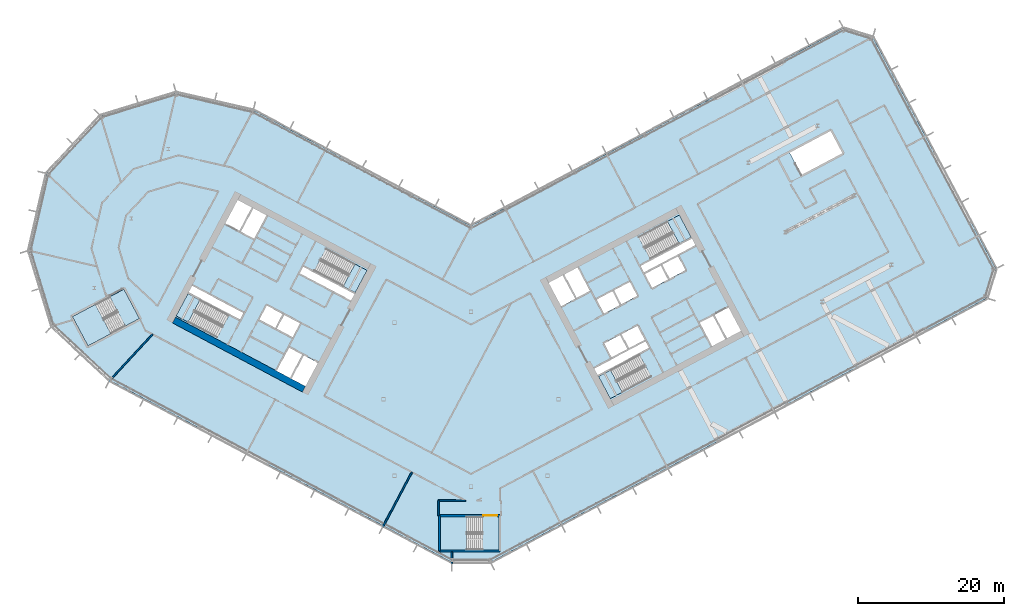
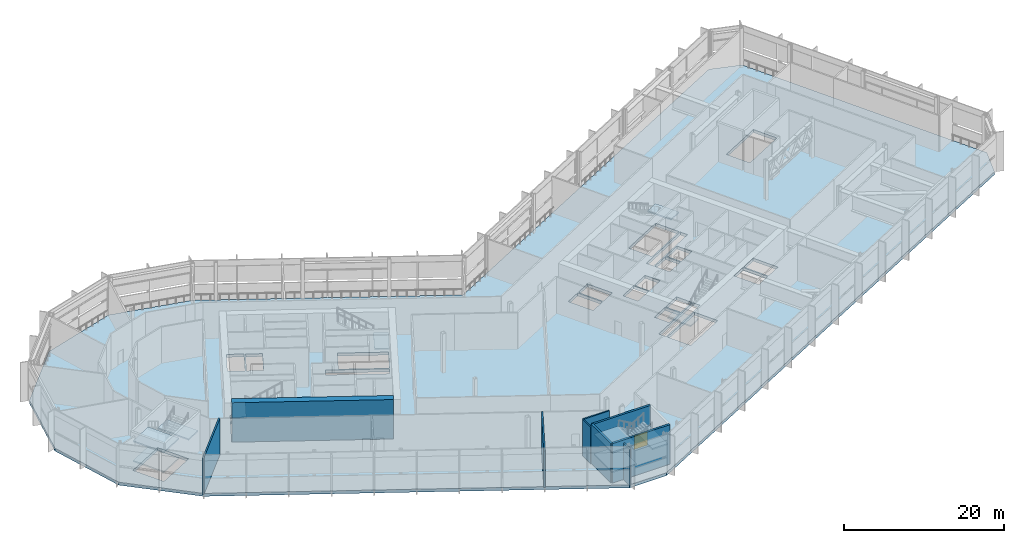
# One storey, part 11 of 33: 11 slabs, 9 walls, 1 door, 1 opening, 6 elements without a shape of their own.
"""IFC4 building model written with IfcOpenShell, lengths in metres."""

from ifc_helpers import new_model, si_unit, direction, frame, frame_2d, origin, place, context, subcontext, project, spatial, polyline, rectangle, outline, extrude, material, layer, layer_set, type_object, element, fill, aggregate, save


model = new_model("IFC4")

# Units and contexts
model_context = context("Model", 3, precision=1e-05, world=origin(), true_north=direction((0.0, 1.0)))
body_context = subcontext(model_context, "Body", "Model", "MODEL_VIEW")
ifc_project = project(units=[si_unit("LENGTHUNIT", "METRE"), si_unit("AREAUNIT", "SQUARE_METRE"), si_unit("VOLUMEUNIT", "CUBIC_METRE"), si_unit("PLANEANGLEUNIT", "RADIAN"), si_unit("MASSUNIT", "GRAM", prefix="KILO")], contexts=[model_context])

# Site, building, storey
site_placement = place(None, origin())
site = spatial("IfcSite", under=ifc_project, at=site_placement, CompositionType="ELEMENT")
building_placement = place(site_placement, origin())
building = spatial("IfcBuilding", under=site, at=building_placement, Name="Cormorant Relay Tower", CompositionType="ELEMENT")
storey_placement = place(building_placement, frame((0.0, 0.0, 112.199951171875)))
storey = spatial("IfcBuildingStorey", under=building, at=storey_placement, Name="L22", CompositionType="ELEMENT", Elevation=112.199951171875)

# Stair, slab
ifc_material_1 = material(Name="Concrete 40 MPa", Category="concrete")
stair_type_1 = type_object("IfcStairType", Name="Exit stair 1500", PredefinedType="HALF_TURN_STAIR", material=ifc_material_1)
stair_1_placement = place(storey_placement, origin())
stair_1 = element("IfcStair", 1, at=stair_1_placement, inside=storey, type_object=stair_type_1, Name="L22 Stair", PredefinedType="HALF_TURN_STAIR")
ifc_material_2 = material(Name="Concrete 40 MPa", Category="concrete")
ifc_layer_1 = layer(ifc_material_2, 0.199951171875)
ifc_layer_set_1 = layer_set([ifc_layer_1], Name="Exit stair landing 200")
slab_type_1 = type_object("IfcSlabType", Name="Exit stair landing 200", PredefinedType="LANDING", material=ifc_layer_set_1)
slab_1_placement = place(storey_placement, frame((0.0, 0.0, 2.800048828125)))
slab_1 = element("IfcSlab", 2, at=slab_1_placement, type_object=slab_type_1, Name="A1 landing 1", PredefinedType="LANDING", context=body_context, shape_type="SweptSolid", body=[
    extrude(outline(polyline([(-17.546142578125, 15.501953125), (-15.89501953125, 14.6240234375), (-14.275390625, 17.670166015625), (-15.926513671875, 18.548095703125), (-17.546142578125, 15.501953125)])), origin(), (0.0, 0.0, 1.0), 0.199951171875),
])
aggregate(stair_1, [slab_1])

stair_2_placement = place(storey_placement, origin())
stair_2 = element("IfcStair", 3, at=stair_2_placement, inside=storey, type_object=stair_type_1, Name="L22 Stair", PredefinedType="HALF_TURN_STAIR")
slab_2_placement = place(storey_placement, frame((0.0, 0.0, 2.800048828125)))
slab_2 = element("IfcSlab", 4, at=slab_2_placement, type_object=slab_type_1, Name="A2 landing 1", PredefinedType="LANDING", context=body_context, shape_type="SweptSolid", body=[
    extrude(outline(polyline([(-37.196533203125, 13.605224609375), (-38.84765625, 14.483154296875), (-40.467529296875, 11.43701171875), (-38.81640625, 10.55908203125), (-37.196533203125, 13.605224609375)])), origin(), (0.0, 0.0, 1.0), 0.199951171875),
])
aggregate(stair_2, [slab_2])

stair_3_placement = place(storey_placement, origin())
stair_3 = element("IfcStair", 5, at=stair_3_placement, inside=storey, type_object=stair_type_1, Name="L22 Stair", PredefinedType="HALF_TURN_STAIR")
slab_3_placement = place(storey_placement, frame((0.0, 0.0, 2.800048828125)))
slab_3 = element("IfcSlab", 6, at=slab_3_placement, type_object=slab_type_1, Name="B1 landing 1", PredefinedType="LANDING", context=body_context, shape_type="SweptSolid", body=[
    extrude(outline(polyline([(19.131591796875, 4.0), (17.48046875, 3.1220703125), (19.10009765625, 0.075927734375), (20.751220703125, 0.953857421875), (19.131591796875, 4.0)])), origin(), (0.0, 0.0, 1.0), 0.199951171875),
])
aggregate(stair_3, [slab_3])

stair_4_placement = place(storey_placement, origin())
stair_4 = element("IfcStair", 7, at=stair_4_placement, inside=storey, type_object=stair_type_1, Name="L22 Stair", PredefinedType="HALF_TURN_STAIR")
slab_4_placement = place(storey_placement, frame((0.0, 0.0, 2.800048828125)))
slab_4 = element("IfcSlab", 8, at=slab_4_placement, type_object=slab_type_1, Name="B2 landing 1", PredefinedType="LANDING", context=body_context, shape_type="SweptSolid", body=[
    extrude(outline(polyline([(28.547607421875, 21.3515625), (30.19873046875, 22.2294921875), (28.5791015625, 25.275634765625), (26.927978515625, 24.397705078125), (28.547607421875, 21.3515625)])), origin(), (0.0, 0.0, 1.0), 0.199951171875),
])
aggregate(stair_4, [slab_4])

# Stair, slabs
ifc_material_3 = material(Name="Concrete 40 MPa", Category="concrete")
stair_type_2 = type_object("IfcStairType", Name="Remote exit stair 2200", PredefinedType="HALF_TURN_STAIR", material=ifc_material_3)
stair_5_placement = place(storey_placement, origin())
stair_5 = element("IfcStair", 9, at=stair_5_placement, inside=storey, type_object=stair_type_2, Name="L22 Stair", PredefinedType="HALF_TURN_STAIR")
slab_5_placement = place(storey_placement, frame((0.0, 0.0, 1.300048828125)))
slab_5 = element("IfcSlab", 10, at=slab_5_placement, type_object=slab_type_1, Name="RK1 landing 1", PredefinedType="LANDING", context=body_context, shape_type="SweptSolid", body=[
    extrude(outline(polyline([(-0.639892578125, -16.125), (-4.199951171875, -16.125), (-4.199951171875, -20.675048828125), (-0.639892578125, -20.675048828125), (-0.639892578125, -16.125)])), origin(), (0.0, 0.0, 1.0), 0.199951171875),
])
slab_6_placement = place(storey_placement, frame((0.0, 0.0, 2.800048828125)))
slab_6 = element("IfcSlab", 11, at=slab_6_placement, type_object=slab_type_1, Name="RK1 landing 2", PredefinedType="LANDING", context=body_context, shape_type="SweptSolid", body=[
    extrude(outline(polyline([(3.800048828125, -16.125), (1.60009765625, -16.125), (1.60009765625, -20.675048828125), (3.800048828125, -20.675048828125), (3.800048828125, -16.125)])), origin(), (0.0, 0.0, 1.0), 0.199951171875),
])
slab_7_placement = place(storey_placement, frame((0.0, 0.0, 4.300048828125)))
slab_7 = element("IfcSlab", 12, at=slab_7_placement, type_object=slab_type_1, Name="RK1 landing 3", PredefinedType="LANDING", context=body_context, shape_type="SweptSolid", body=[
    extrude(outline(polyline([(-0.639892578125, -16.125), (-4.199951171875, -16.125), (-4.199951171875, -20.675048828125), (-0.639892578125, -20.675048828125), (-0.639892578125, -16.125)])), origin(), (0.0, 0.0, 1.0), 0.199951171875),
])
aggregate(stair_5, [slab_5, slab_6, slab_7])

stair_6_placement = place(storey_placement, origin())
stair_6 = element("IfcStair", 13, at=stair_6_placement, inside=storey, type_object=stair_type_2, Name="L22 Stair", PredefinedType="HALF_TURN_STAIR")
slab_8_placement = place(storey_placement, frame((0.0, 0.0, 1.300048828125)))
slab_8 = element("IfcSlab", 14, at=slab_8_placement, type_object=slab_type_1, Name="RP1 landing 1", PredefinedType="LANDING", context=body_context, shape_type="SweptSolid", body=[
    extrude(outline(polyline([(-51.556640625, 13.002197265625), (-54.699951171875, 11.330810546875), (-52.563720703125, 7.3134765625), (-49.42041015625, 8.984619140625), (-51.556640625, 13.002197265625)])), origin(), (0.0, 0.0, 1.0), 0.199951171875),
])
slab_9_placement = place(storey_placement, frame((0.0, 0.0, 2.800048828125)))
slab_9 = element("IfcSlab", 15, at=slab_9_placement, type_object=slab_type_1, Name="RP1 landing 2", PredefinedType="LANDING", context=body_context, shape_type="SweptSolid", body=[
    extrude(outline(polyline([(-47.63623046875, 15.086669921875), (-49.578857421875, 14.0537109375), (-47.442626953125, 10.036376953125), (-45.500244140625, 11.069091796875), (-47.63623046875, 15.086669921875)])), origin(), (0.0, 0.0, 1.0), 0.199951171875),
])
slab_10_placement = place(storey_placement, frame((0.0, 0.0, 4.300048828125)))
slab_10 = element("IfcSlab", 16, at=slab_10_placement, type_object=slab_type_1, Name="RP1 landing 3", PredefinedType="LANDING", context=body_context, shape_type="SweptSolid", body=[
    extrude(outline(polyline([(-51.556640625, 13.002197265625), (-54.699951171875, 11.330810546875), (-52.563720703125, 7.3134765625), (-49.42041015625, 8.984619140625), (-51.556640625, 13.002197265625)])), origin(), (0.0, 0.0, 1.0), 0.199951171875),
])
aggregate(stair_6, [slab_8, slab_9, slab_10])

# Slab
ifc_material_4 = material(Name="Concrete 40 MPa", Category="concrete")
ifc_layer_2 = layer(ifc_material_4, 0.449951171875)
ifc_layer_set_2 = layer_set([ifc_layer_2], Name="Flat plate 450")
slab_type_2 = type_object("IfcSlabType", Name="Flat plate 450", PredefinedType="FLOOR", material=ifc_layer_set_2)
slab_11_placement = place(storey_placement, frame((0.0, 0.0, -0.449951171875)))
element("IfcSlab", 17, at=slab_11_placement, inside=storey, type_object=slab_type_2, Name="Floor slab L22", PredefinedType="FLOOR", context=body_context, shape_type="SweptSolid", body=[
    extrude(outline(polyline([(-57.541748046875, 9.997802734375), (-60.7197265625, 20.393310546875), (-58.2744140625, 30.985107421875), (-50.86083984375, 38.935302734375), (-40.465576171875, 42.11328125), (-29.873779296875, 39.668212890625), (0.0, 23.783935546875), (51.064453125, 50.935302734375), (55.12158203125, 49.695068359375), (72.022705078125, 17.908935546875), (70.7822265625, 13.8515625), (2.648681640625, -22.37548828125), (-2.648681640625, -22.37548828125), (-49.591552734375, 2.584228515625), (-57.541748046875, 9.997802734375)]), holes=[polyline([(-4.199951171875, -16.125), (-4.199951171875, -20.675048828125), (1.60009765625, -20.675048828125), (1.60009765625, -16.125), (-4.199951171875, -16.125)]), polyline([(-22.95458984375, 6.03271484375), (-24.668212890625, 2.81005859375), (-22.725830078125, 1.777099609375), (-21.01220703125, 5.0), (-23.04296875, 6.07958984375), (-22.95458984375, 6.03271484375)]), polyline([(-24.985595703125, 7.112548828125), (-26.69921875, 3.889892578125), (-24.844970703125, 2.90380859375), (-23.13134765625, 6.126708984375), (-23.04296875, 6.07958984375), (-24.985595703125, 7.112548828125)]), polyline([(-26.688720703125, 9.660400390625), (-24.481201171875, 8.48681640625), (-23.448486328125, 10.42919921875), (-25.656005859375, 11.602783203125), (-26.688720703125, 9.660400390625)]), polyline([(-49.57861328125, 14.0537109375), (-54.69970703125, 11.330810546875), (-52.563720703125, 7.3134765625), (-47.442626953125, 10.036376953125), (-49.57861328125, 14.0537109375)]), polyline([(-28.039794921875, 12.870361328125), (-29.07275390625, 10.927978515625), (-26.865234375, 9.75439453125), (-25.83251953125, 11.69677734375), (-28.039794921875, 12.870361328125)]), polyline([(-38.847900390625, 14.483154296875), (-40.46728515625, 11.43701171875), (-34.860595703125, 8.455810546875), (-33.240966796875, 11.502197265625), (-38.847900390625, 14.483154296875)]), polyline([(-38.260986328125, 15.5869140625), (-38.75390625, 14.659912109375), (-31.690185546875, 10.904052734375), (-31.197265625, 11.8310546875), (-38.260986328125, 15.5869140625)]), polyline([(14.3056640625, 13.779052734375), (12.592041015625, 17.001708984375), (10.649658203125, 15.968994140625), (12.36328125, 12.74609375), (14.39404296875, 13.825927734375), (14.3056640625, 13.779052734375)]), polyline([(16.33642578125, 14.85888671875), (14.622802734375, 18.08154296875), (12.768798828125, 17.095703125), (14.482421875, 13.872802734375), (14.39404296875, 13.825927734375), (16.33642578125, 14.85888671875)]), polyline([(-16.481689453125, 13.520263671875), (-15.989013671875, 14.447509765625), (-23.052490234375, 18.203125), (-23.54541015625, 17.276123046875), (-16.481689453125, 13.520263671875)]), polyline([(-21.501708984375, 17.605224609375), (-15.89501953125, 14.6240234375), (-14.275390625, 17.670166015625), (-19.882080078125, 20.6513671875), (-21.501708984375, 17.605224609375)]), polyline([(-31.611572265625, 22.980712890625), (-29.75732421875, 21.99462890625), (-28.043701171875, 25.217529296875), (-29.89794921875, 26.203369140625), (-31.611572265625, 22.980712890625)]), polyline([(-33.73046875, 24.107421875), (-31.7880859375, 23.074462890625), (-30.074462890625, 26.29736328125), (-32.01708984375, 27.330078125), (-33.73046875, 24.107421875)]), polyline([(23.087158203125, 6.10302734375), (17.48046875, 3.1220703125), (19.10009765625, 0.07568359375), (24.706787109375, 3.056884765625), (23.087158203125, 6.10302734375)]), polyline([(16.8935546875, 4.2255859375), (17.386474609375, 3.298583984375), (24.4501953125, 7.054443359375), (23.957275390625, 7.9814453125), (16.8935546875, 4.2255859375)]), polyline([(20.446533203125, 8.8330078125), (18.239013671875, 7.6591796875), (19.27197265625, 5.716796875), (21.479248046875, 6.890380859375), (20.446533203125, 8.8330078125)]), polyline([(22.830322265625, 10.1005859375), (20.623046875, 8.927001953125), (21.656005859375, 6.984375), (23.86328125, 8.158203125), (22.830322265625, 10.1005859375)]), polyline([(33.197021484375, 11.478515625), (31.3427734375, 10.49267578125), (33.056396484375, 7.27001953125), (34.910400390625, 8.255859375), (33.197021484375, 11.478515625)]), polyline([(33.37353515625, 11.572509765625), (35.087158203125, 8.349609375), (37.029541015625, 9.382568359375), (35.31591796875, 12.605224609375), (33.37353515625, 11.572509765625)]), polyline([(19.401123046875, 14.84619140625), (17.19384765625, 13.67236328125), (18.2265625, 11.72998046875), (20.43408203125, 12.903564453125), (19.401123046875, 14.84619140625)]), polyline([(22.81787109375, 14.171142578125), (21.78515625, 16.113525390625), (19.57763671875, 14.93994140625), (20.610595703125, 12.99755859375), (22.81787109375, 14.171142578125)]), polyline([(26.023193359375, 18.3671875), (23.81591796875, 17.193359375), (24.8486328125, 15.2509765625), (27.05615234375, 16.424560546875), (26.023193359375, 18.3671875)]), polyline([(29.440185546875, 17.692138671875), (28.4072265625, 19.634765625), (26.19970703125, 18.4609375), (27.232666015625, 16.5185546875), (29.440185546875, 17.692138671875)]), polyline([(30.78564453125, 21.125732421875), (30.29248046875, 22.052978515625), (23.22900390625, 18.297119140625), (23.721923828125, 17.3701171875), (30.78564453125, 21.125732421875)]), polyline([(24.592041015625, 19.248291015625), (30.19873046875, 22.2294921875), (28.5791015625, 25.275634765625), (22.972412109375, 22.29443359375), (24.592041015625, 19.248291015625)]), polyline([(45.3349609375, 30.773681640625), (50.941650390625, 33.7548828125), (49.322021484375, 36.801025390625), (43.715087890625, 33.81982421875), (45.3349609375, 30.773681640625)])]), origin(), (0.0, 0.0, 1.0), 0.449951171875),
])

# Walls
ifc_material_5 = material(Name="Concrete 70 MPa", Category="concrete")
ifc_layer_3 = layer(ifc_material_5, 0.89990234375)
ifc_layer_set_3 = layer_set([ifc_layer_3], Name="Core wall 900")
wall_type_1 = type_object("IfcWallType", Name="Core wall 900", PredefinedType="SHEAR", material=ifc_layer_set_3)
wall_1_placement = place(storey_placement, frame((-22.93701171875, 1.3798828125, 0.0), z_axis=(0.0, 0.0, 1.0), x_axis=(-0.88295276571, 0.46946183394, 0.0)))
element("IfcWall", 18, at=wall_1_placement, inside=storey, type_object=wall_type_1, Name="L22 core A wall", PredefinedType="SHEAR", context=body_context, shape_type="SweptSolid", body=[
    extrude(rectangle(XDim=20.199951171875, YDim=0.89990234375, at=frame_2d((10.10009765625, 0.0))), origin(), (0.0, 0.0, 1.0), 6.0),
])
ifc_material_6 = material(Name="Fire-rated gypsum board partition")
ifc_layer_4 = layer(ifc_material_6, 0.199951171875)
ifc_layer_set_4 = layer_set([ifc_layer_4], Name="Fire-rated gypsum partition 200")
wall_type_2 = type_object("IfcWallType", Name="Fire-rated gypsum partition 200", PredefinedType="PARTITIONING", material=ifc_layer_set_4)
wall_2_placement = place(storey_placement, frame((-49.73291015625, 2.43310546875, 0.0), z_axis=(0.0, 0.0, 1.0), x_axis=(0.681990946379, 0.73136061492, 0.0)))
element("IfcWall", 19, at=wall_2_placement, inside=storey, type_object=wall_type_2, Name="wall/L22/part/12", PredefinedType="PARTITIONING", context=body_context, shape_type="SweptSolid", body=[
    extrude(rectangle(XDim=8.851806640625, YDim=0.199951171875, at=frame_2d((4.42578125, 0.0))), origin(), (0.0, 0.0, 1.0), 5.550048828125),
])
wall_3_placement = place(storey_placement, frame((-8.116943359375, -10.010986328125, 0.0), z_axis=(0.0, 0.0, 1.0), x_axis=(-0.469583140133, -0.882888257087, 0.0)))
element("IfcWall", 20, at=wall_3_placement, inside=storey, type_object=wall_type_2, Name="wall/L22/part/37", PredefinedType="PARTITIONING", context=body_context, shape_type="SweptSolid", body=[
    extrude(rectangle(XDim=8.550537109375, YDim=0.199951171875, at=frame_2d((4.275390625, 0.0))), origin(), (0.0, 0.0, 1.0), 5.550048828125),
])
wall_4_placement = place(storey_placement, frame((-0.743896484375, -13.927978515625, 0.0), z_axis=(0.0, 0.0, 1.0), x_axis=(-0.999999695815, 0.000779980263, 0.0)))
element("IfcWall", 21, at=wall_4_placement, inside=storey, type_object=wall_type_2, Name="wall/L22/part/43", PredefinedType="PARTITIONING", context=body_context, shape_type="SweptSolid", body=[
    extrude(rectangle(XDim=3.756103515625, YDim=0.199951171875, at=frame_2d((1.8779296875, 0.0))), origin(), (0.0, 0.0, 1.0), 5.550048828125),
])
wall_5_placement = place(storey_placement, frame((-4.5, -13.925048828125, 0.0), z_axis=(0.0, 0.0, 1.0), x_axis=(0.0, -1.0, 0.0)))
element("IfcWall", 22, at=wall_5_placement, inside=storey, type_object=wall_type_2, Name="wall/L22/part/49", PredefinedType="PARTITIONING", context=body_context, shape_type="SweptSolid", body=[
    extrude(rectangle(XDim=2.050048828125, YDim=0.199951171875, at=frame_2d((1.02490234375, 0.0))), origin(), (0.0, 0.0, 1.0), 5.550048828125),
])
wall_6_placement = place(storey_placement, frame((-2.64892578125, -20.9599609375, 0.0), z_axis=(0.0, 0.0, 1.0), x_axis=(0.0, -1.0, 0.0)))
element("IfcWall", 23, at=wall_6_placement, inside=storey, type_object=wall_type_2, Name="wall/L22/part/50", PredefinedType="PARTITIONING", context=body_context, shape_type="SweptSolid", body=[
    extrude(rectangle(XDim=1.6220703125, YDim=0.199951171875, at=frame_2d((0.81103515625, 0.0))), origin(), (0.0, 0.0, 1.0), 5.550048828125),
])
ifc_material_7 = material(Name="Concrete 50 MPa", Category="concrete")
ifc_layer_5 = layer(ifc_material_7, 0.300048828125)
ifc_layer_set_5 = layer_set([ifc_layer_5], Name="Remote stair wall 300")
wall_type_3 = type_object("IfcWallType", Name="Remote stair wall 300", PredefinedType="SHEAR", material=ifc_layer_set_5)
wall_7_placement = place(storey_placement, frame((3.949951171875, -20.824951171875, 0.0), z_axis=(0.0, 0.0, 1.0), x_axis=(-1.0, 0.0, 0.0)))
element("IfcWall", 24, at=wall_7_placement, inside=storey, type_object=wall_type_3, Name="L22 exit stair RK1 wall", PredefinedType="SHEAR", context=body_context, shape_type="SweptSolid", body=[
    extrude(rectangle(XDim=8.300048828125, YDim=0.300048828125, at=frame_2d((4.14990234375, 0.0))), origin(), (0.0, 0.0, 1.0), 6.0),
])
wall_8_placement = place(storey_placement, frame((-4.35009765625, -20.824951171875, 0.0), z_axis=(0.0, 0.0, 1.0), x_axis=(0.0, 1.0, 0.0)))
element("IfcWall", 25, at=wall_8_placement, inside=storey, type_object=wall_type_3, Name="L22 exit stair RK1 wall", PredefinedType="SHEAR", context=body_context, shape_type="SweptSolid", body=[
    extrude(rectangle(XDim=4.849853515625, YDim=0.300048828125, at=frame_2d((2.4248046875, 0.0))), origin(), (0.0, 0.0, 1.0), 6.0),
])

# Wall, opening, door
wall_9_placement = place(storey_placement, frame((-4.35009765625, -15.97509765625, 0.0), z_axis=(0.0, 0.0, 1.0), x_axis=(1.0, 0.0, 0.0)))
wall_9 = element("IfcWall", 26, at=wall_9_placement, inside=storey, type_object=wall_type_3, Name="L22 exit stair RK1 wall", PredefinedType="SHEAR", context=body_context, shape_type="SweptSolid", body=[
    extrude(rectangle(XDim=8.300048828125, YDim=0.300048828125, at=frame_2d((4.14990234375, 0.0))), origin(), (0.0, 0.0, 1.0), 6.0),
])
opening_placement = place(wall_9_placement, frame((6.050048828125, 0.0, 0.0)))
opening = element("IfcOpeningElement", 27, at=opening_placement, cuts=wall_9, Name="Opening CDE-010", PredefinedType="OPENING", context=body_context, shape_type="SweptSolid", body=[
    extrude(rectangle(XDim=1.89990234375, YDim=2.10009765625, at=frame_2d((0.949951171875, 1.050048828125))), frame((0.0, 0.159912109375, 0.0), z_axis=(0.0, -1.0, 0.0), x_axis=(1.0, 0.0, 0.0)), (0.0, 0.0, 1.0), 0.320068359375),
])
ifc_material_8 = material(Name="Steel fire door", Category="steel")
door_type = type_object("IfcDoorType", Name="Remote stair door 1900x2100", OperationType="DOUBLE_DOOR_SINGLE_SWING", PredefinedType="DOOR", material=ifc_material_8)
door_placement = place(opening_placement, frame((1.89990234375, 0.0, 0.0), z_axis=(0.0, 0.0, 1.0), x_axis=(-1.0, 0.0, 0.0)))
door = element("IfcDoor", 28, at=door_placement, inside=storey, type_object=door_type, Name="Exit stair RK1 door", OperationType="DOUBLE_DOOR_SINGLE_SWING", OverallHeight=2.10009765625, OverallWidth=1.89990234375, PredefinedType="DOOR", context=body_context, shape_type="SweptSolid", body=[
    extrude(rectangle(XDim=1.89990234375, YDim=2.10009765625, at=frame_2d((0.949951171875, 1.050048828125))), frame((0.0, 0.02490234375, 0.0), z_axis=(0.0, -1.0, 0.0), x_axis=(1.0, 0.0, 0.0)), (0.0, 0.0, 1.0), 0.050048828125),
])
fill(opening, door)

save(model, "model.ifc")
